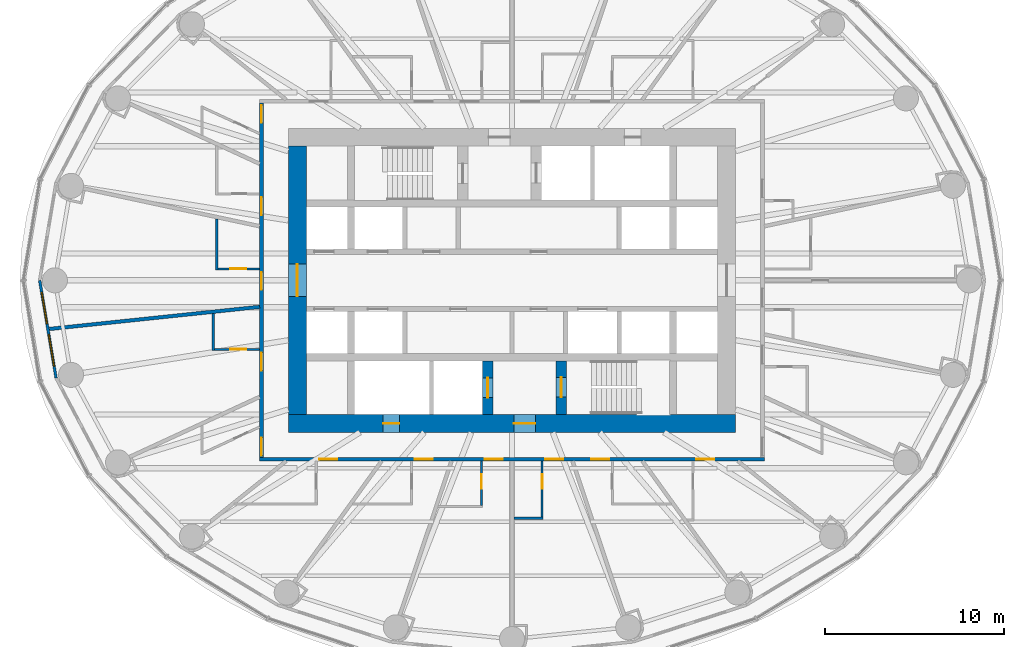
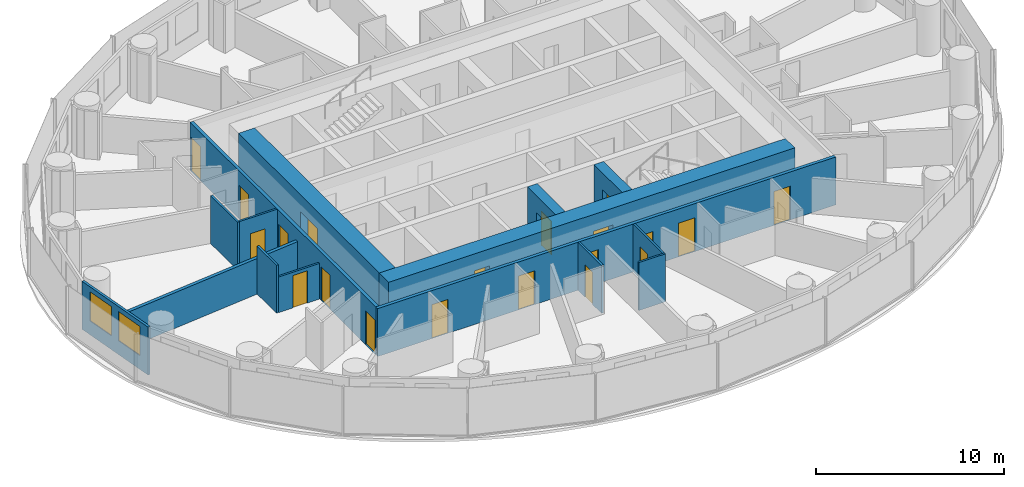
# One storey, part 7 of 14: 20 doors, 15 walls, 2 windows, 22 openings.
"""IFC4 building model written with IfcOpenShell, lengths in metres."""

from ifc_helpers import new_model, si_unit, direction, frame, frame_2d, origin, place, context, subcontext, project, spatial, rectangle, extrude, material, layer, layer_set, type_object, element, fill, save


model = new_model("IFC4")

# Units and contexts
model_context = context("Model", 3, precision=1e-05, world=origin(), true_north=direction((0.0, 1.0)))
body_context = subcontext(model_context, "Body", "Model", "MODEL_VIEW")
ifc_project = project(units=[si_unit("LENGTHUNIT", "METRE"), si_unit("AREAUNIT", "SQUARE_METRE"), si_unit("VOLUMEUNIT", "CUBIC_METRE"), si_unit("PLANEANGLEUNIT", "RADIAN"), si_unit("MASSUNIT", "GRAM", prefix="KILO")], contexts=[model_context])

# Site, building, storey
site_placement = place(None, origin())
site = spatial("IfcSite", under=ifc_project, at=site_placement, CompositionType="ELEMENT")
building_placement = place(site_placement, origin())
building = spatial("IfcBuilding", under=site, at=building_placement, Name="Hankou Lantern Tower", CompositionType="ELEMENT")
storey_placement = place(building_placement, frame((0.0, 0.0, 63.89990234375)))
storey = spatial("IfcBuildingStorey", under=building, at=storey_placement, Name="L15", CompositionType="ELEMENT", Elevation=63.89990234375)

# Wall, openings, doors
ifc_material_1 = material(Name="Concrete C60", Category="concrete")
ifc_layer_1 = layer(ifc_material_1, 1.0)
ifc_layer_set_1 = layer_set([ifc_layer_1], Name="Concrete C60")
wall_type_1 = type_object("IfcWallType", Name="CW1 CORE WALL 1000", PredefinedType="SHEAR", material=ifc_layer_set_1)
wall_1_placement = place(storey_placement, frame((12.5, -8.0, 0.0), z_axis=(0.0, 0.0, 1.0), x_axis=(-1.0, 0.0, 0.0)))
wall_1 = element("IfcWall", 1, at=wall_1_placement, inside=storey, type_object=wall_type_1, Name="Core wall south L15", PredefinedType="SHEAR", context=body_context, shape_type="SweptSolid", body=[
    extrude(rectangle(XDim=25.0, YDim=1.0, at=frame_2d((12.5, 0.0))), origin(), (0.0, 0.0, 1.0), 3.300048828125),
])
opening_1_placement = place(wall_1_placement, frame((11.199951171875, 0.0, 0.0)))
opening_1 = element("IfcOpeningElement", 2, at=opening_1_placement, cuts=wall_1, Name="Opening D5", PredefinedType="OPENING", context=body_context, shape_type="SweptSolid", body=[
    extrude(rectangle(XDim=1.199951171875, YDim=2.199951171875, at=frame_2d((0.60009765625, 1.10009765625))), frame((0.0, 0.510009765625, 0.0), z_axis=(0.0, -1.0, 0.0), x_axis=(1.0, 0.0, 0.0)), (0.0, 0.0, 1.0), 1.02001953125),
])
opening_2_placement = place(wall_1_placement, frame((18.800048828125, 0.0, 0.0)))
opening_2 = element("IfcOpeningElement", 3, at=opening_2_placement, cuts=wall_1, Name="Opening D7", PredefinedType="OPENING", context=body_context, shape_type="SweptSolid", body=[
    extrude(rectangle(XDim=0.89990234375, YDim=2.199951171875, at=frame_2d((0.449951171875, 1.10009765625))), frame((0.0, 0.510009765625, 0.0), z_axis=(0.0, -1.0, 0.0), x_axis=(1.0, 0.0, 0.0)), (0.0, 0.0, 1.0), 1.02001953125),
])
ifc_material_2 = material(Name="Steel door leaf", Category="steel")
door_type_1 = type_object("IfcDoorType", Name="D5 STAIR LOBBY DOOR 1200X2200", OperationType="SINGLE_SWING_LEFT", PredefinedType="DOOR", material=ifc_material_2)
door_1_placement = place(opening_1_placement, origin())
door_1 = element("IfcDoor", 4, at=door_1_placement, inside=storey, type_object=door_type_1, Name="Stair B lobby door", OperationType="SINGLE_SWING_LEFT", OverallHeight=2.199951171875, OverallWidth=1.199951171875, PredefinedType="DOOR", context=body_context, shape_type="SweptSolid", body=[
    extrude(rectangle(XDim=1.199951171875, YDim=2.199951171875, at=frame_2d((0.60009765625, 1.10009765625))), frame((0.0, 0.02490234375, 0.0), z_axis=(0.0, -1.0, 0.0), x_axis=(1.0, 0.0, 0.0)), (0.0, 0.0, 1.0), 0.050048828125),
])
fill(opening_1, door_1)
ifc_material_3 = material(Name="Steel door leaf", Category="steel")
door_type_2 = type_object("IfcDoorType", Name="D7 RISER DOOR 900X2200", OperationType="SINGLE_SWING_LEFT", PredefinedType="DOOR", material=ifc_material_3)
door_2_placement = place(opening_2_placement, origin())
door_2 = element("IfcDoor", 5, at=door_2_placement, inside=storey, type_object=door_type_2, Name="Riser S1 door", OperationType="SINGLE_SWING_RIGHT", OverallHeight=2.199951171875, OverallWidth=0.89990234375, PredefinedType="DOOR", context=body_context, shape_type="SweptSolid", body=[
    extrude(rectangle(XDim=0.89990234375, YDim=2.199951171875, at=frame_2d((0.449951171875, 1.10009765625))), frame((0.0, 0.02490234375, 0.0), z_axis=(0.0, -1.0, 0.0), x_axis=(1.0, 0.0, 0.0)), (0.0, 0.0, 1.0), 0.050048828125),
])
fill(opening_2, door_2)

# Wall, opening, door
wall_2_placement = place(storey_placement, frame((-12.0, 7.5, 0.0), z_axis=(0.0, 0.0, 1.0), x_axis=(0.0, -1.0, 0.0)))
wall_2 = element("IfcWall", 6, at=wall_2_placement, inside=storey, type_object=wall_type_1, Name="Core wall west L15", PredefinedType="SHEAR", context=body_context, shape_type="SweptSolid", body=[
    extrude(rectangle(XDim=15.0, YDim=1.0, at=frame_2d((7.5, 0.0))), origin(), (0.0, 0.0, 1.0), 3.300048828125),
])
opening_3_placement = place(wall_2_placement, frame((6.60009765625, 0.0, 0.0)))
opening_3 = element("IfcOpeningElement", 7, at=opening_3_placement, cuts=wall_2, Name="Opening D6", PredefinedType="OPENING", context=body_context, shape_type="SweptSolid", body=[
    extrude(rectangle(XDim=1.800048828125, YDim=2.199951171875, at=frame_2d((0.89990234375, 1.10009765625))), frame((0.0, 0.510009765625, 0.0), z_axis=(0.0, -1.0, 0.0), x_axis=(1.0, 0.0, 0.0)), (0.0, 0.0, 1.0), 1.02001953125),
])
ifc_material_4 = material(Name="Steel door leaf", Category="steel")
door_type_3 = type_object("IfcDoorType", Name="D6 LIFT LOBBY DOOR 1800X2200", OperationType="DOUBLE_DOOR_DOUBLE_SWING", PredefinedType="DOOR", material=ifc_material_4)
door_3_placement = place(opening_3_placement, origin())
door_3 = element("IfcDoor", 8, at=door_3_placement, inside=storey, type_object=door_type_3, Name="Lift lobby west door", OperationType="DOUBLE_DOOR_DOUBLE_SWING", OverallHeight=2.199951171875, OverallWidth=1.800048828125, PredefinedType="DOOR", context=body_context, shape_type="SweptSolid", body=[
    extrude(rectangle(XDim=1.800048828125, YDim=2.199951171875, at=frame_2d((0.89990234375, 1.10009765625))), frame((0.0, 0.02490234375, 0.0), z_axis=(0.0, -1.0, 0.0), x_axis=(1.0, 0.0, 0.0)), (0.0, 0.0, 1.0), 0.050048828125),
])
fill(opening_3, door_3)

ifc_material_5 = material(Name="Concrete C60", Category="concrete")
ifc_layer_2 = layer(ifc_material_5, 0.60009765625)
ifc_layer_set_2 = layer_set([ifc_layer_2], Name="Concrete C60")
wall_type_2 = type_object("IfcWallType", Name="CW6 STAIR AND SHAFT WALL 600", PredefinedType="SHEAR", material=ifc_layer_set_2)
wall_3_placement = place(storey_placement, frame((2.75, -7.5, 0.0), z_axis=(0.0, 0.0, 1.0), x_axis=(0.0, 1.0, 0.0)))
wall_3 = element("IfcWall", 9, at=wall_3_placement, inside=storey, type_object=wall_type_2, Name="Stair wall L15", PredefinedType="SHEAR", context=body_context, shape_type="SweptSolid", body=[
    extrude(rectangle(XDim=3.0, YDim=0.60009765625, at=frame_2d((1.5, 0.0))), origin(), (0.0, 0.0, 1.0), 3.300048828125),
])
opening_4_placement = place(wall_3_placement, frame((0.97509765625, 0.0, 0.0)))
opening_4 = element("IfcOpeningElement", 10, at=opening_4_placement, cuts=wall_3, Name="Opening D4", PredefinedType="OPENING", context=body_context, shape_type="SweptSolid", body=[
    extrude(rectangle(XDim=1.10009765625, YDim=2.199951171875, at=frame_2d((0.550048828125, 1.10009765625))), frame((0.0, 0.31005859375, 0.0), z_axis=(0.0, -1.0, 0.0), x_axis=(1.0, 0.0, 0.0)), (0.0, 0.0, 1.0), 0.6201171875),
])
ifc_material_6 = material(Name="Steel door leaf", Category="steel")
door_type_4 = type_object("IfcDoorType", Name="D4 STAIR DOOR 1100X2200", OperationType="SINGLE_SWING_LEFT", PredefinedType="DOOR", material=ifc_material_6)
door_4_placement = place(opening_4_placement, origin())
door_4 = element("IfcDoor", 11, at=door_4_placement, inside=storey, type_object=door_type_4, Name="Stair B door", OperationType="SINGLE_SWING_RIGHT", OverallHeight=2.199951171875, OverallWidth=1.10009765625, PredefinedType="DOOR", context=body_context, shape_type="SweptSolid", body=[
    extrude(rectangle(XDim=1.10009765625, YDim=2.199951171875, at=frame_2d((0.550048828125, 1.10009765625))), frame((0.0, 0.02490234375, 0.0), z_axis=(0.0, -1.0, 0.0), x_axis=(1.0, 0.0, 0.0)), (0.0, 0.0, 1.0), 0.050048828125),
])
fill(opening_4, door_4)

wall_4_placement = place(storey_placement, frame((-1.35009765625, -7.5, 0.0), z_axis=(0.0, 0.0, 1.0), x_axis=(0.0, 1.0, 0.0)))
wall_4 = element("IfcWall", 12, at=wall_4_placement, inside=storey, type_object=wall_type_2, Name="Firefighting lift shaft wall L15", PredefinedType="SHEAR", context=body_context, shape_type="SweptSolid", body=[
    extrude(rectangle(XDim=3.0, YDim=0.60009765625, at=frame_2d((1.5, 0.0))), origin(), (0.0, 0.0, 1.0), 3.300048828125),
])
opening_5_placement = place(wall_4_placement, frame((0.949951171875, 0.0, 0.0)))
opening_5 = element("IfcOpeningElement", 13, at=opening_5_placement, cuts=wall_4, Name="Opening LD2", PredefinedType="OPENING", context=body_context, shape_type="SweptSolid", body=[
    extrude(rectangle(XDim=1.10009765625, YDim=2.199951171875, at=frame_2d((0.550048828125, 1.10009765625))), frame((0.0, 0.31005859375, 0.0), z_axis=(0.0, -1.0, 0.0), x_axis=(1.0, 0.0, 0.0)), (0.0, 0.0, 1.0), 0.6201171875),
])
ifc_material_7 = material(Name="Steel door leaf", Category="steel")
door_type_5 = type_object("IfcDoorType", Name="LD2 FIREFIGHTING LIFT LANDING DOOR 1100X2200", OperationType="DOUBLE_DOOR_SLIDING", PredefinedType="DOOR", material=ifc_material_7)
door_5_placement = place(opening_5_placement, origin())
door_5 = element("IfcDoor", 14, at=door_5_placement, inside=storey, type_object=door_type_5, Name="Firefighting lift FL2 landing door", OperationType="DOUBLE_DOOR_SLIDING", OverallHeight=2.199951171875, OverallWidth=1.10009765625, PredefinedType="DOOR", context=body_context, shape_type="SweptSolid", body=[
    extrude(rectangle(XDim=1.10009765625, YDim=2.199951171875, at=frame_2d((0.550048828125, 1.10009765625))), frame((0.0, 0.02490234375, 0.0), z_axis=(0.0, -1.0, 0.0), x_axis=(1.0, 0.0, 0.0)), (0.0, 0.0, 1.0), 0.050048828125),
])
fill(opening_5, door_5)

# Wall, openings, windows
ifc_material_8 = material(Name="Aluminium spandrel panel on steel studs", Category="steel")
ifc_layer_3 = layer(ifc_material_8, 0.14990234375)
ifc_layer_set_3 = layer_set([ifc_layer_3], Name="Aluminium spandrel panel on steel studs")
wall_type_3 = type_object("IfcWallType", Name="EW1 INNER SKIN WALL 150", PredefinedType="ELEMENTEDWALL", material=ifc_layer_set_3)
wall_5_placement = place(storey_placement, frame((-26.39990234375, 0.0, 0.0), z_axis=(0.0, 0.0, 1.0), x_axis=(0.165642551694, -0.986185857264, 0.0)))
wall_5 = element("IfcWall", 15, at=wall_5_placement, inside=storey, type_object=wall_type_3, Name="Inner skin R13-R14 L15", PredefinedType="ELEMENTEDWALL", context=body_context, shape_type="SweptSolid", body=[
    extrude(rectangle(XDim=5.538818359375, YDim=0.14990234375, at=frame_2d((2.76953125, 0.0))), origin(), (0.0, 0.0, 1.0), 3.1201171875),
])
opening_6_placement = place(wall_5_placement, frame((0.66943359375, 0.0, 0.89990234375)))
opening_6 = element("IfcOpeningElement", 16, at=opening_6_placement, cuts=wall_5, Name="Opening W1", PredefinedType="OPENING", context=body_context, shape_type="SweptSolid", body=[
    extrude(rectangle(XDim=1.800048828125, YDim=1.89990234375, at=frame_2d((0.89990234375, 0.949951171875))), frame((0.0, 0.0849609375, 0.0), z_axis=(0.0, -1.0, 0.0), x_axis=(1.0, 0.0, 0.0)), (0.0, 0.0, 1.0), 0.169921875),
])
opening_7_placement = place(wall_5_placement, frame((3.069580078125, 0.0, 0.89990234375)))
opening_7 = element("IfcOpeningElement", 17, at=opening_7_placement, cuts=wall_5, Name="Opening W1", PredefinedType="OPENING", context=body_context, shape_type="SweptSolid", body=[
    extrude(rectangle(XDim=1.800048828125, YDim=1.89990234375, at=frame_2d((0.89990234375, 0.949951171875))), frame((0.0, 0.0849609375, 0.0), z_axis=(0.0, -1.0, 0.0), x_axis=(1.0, 0.0, 0.0)), (0.0, 0.0, 1.0), 0.169921875),
])
ifc_material_9 = material(Name="Aluminium framed double glazed window", Category="aluminium")
window_type = type_object("IfcWindowType", Name="W1 GUEST ROOM WINDOW 1800X1900", PartitioningType="DOUBLE_PANEL_VERTICAL", PredefinedType="WINDOW", material=ifc_material_9)
window_1_placement = place(opening_6_placement, origin())
window_1 = element("IfcWindow", 18, at=window_1_placement, inside=storey, type_object=window_type, Name="Window R13.1 L15", OverallHeight=1.89990234375, OverallWidth=1.800048828125, PartitioningType="SINGLE_PANEL", PredefinedType="WINDOW", context=body_context, shape_type="SweptSolid", body=[
    extrude(rectangle(XDim=1.800048828125, YDim=1.89990234375, at=frame_2d((0.89990234375, 0.949951171875))), frame((0.0, 0.030029296875, 0.0), z_axis=(0.0, -1.0, 0.0), x_axis=(1.0, 0.0, 0.0)), (0.0, 0.0, 1.0), 0.06005859375),
])
fill(opening_6, window_1)
window_2_placement = place(opening_7_placement, origin())
window_2 = element("IfcWindow", 19, at=window_2_placement, inside=storey, type_object=window_type, Name="Window R13.2 L15", OverallHeight=1.89990234375, OverallWidth=1.800048828125, PartitioningType="SINGLE_PANEL", PredefinedType="WINDOW", context=body_context, shape_type="SweptSolid", body=[
    extrude(rectangle(XDim=1.800048828125, YDim=1.89990234375, at=frame_2d((0.89990234375, 0.949951171875))), frame((0.0, 0.030029296875, 0.0), z_axis=(0.0, -1.0, 0.0), x_axis=(1.0, 0.0, 0.0)), (0.0, 0.0, 1.0), 0.06005859375),
])
fill(opening_7, window_2)

# Wall
ifc_material_10 = material(Name="Masonry lightweight concrete block", Category="masonry")
ifc_layer_4 = layer(ifc_material_10, 0.199951171875)
ifc_layer_set_4 = layer_set([ifc_layer_4], Name="Masonry lightweight concrete block")
wall_type_4 = type_object("IfcWallType", Name="IW1 GUEST ROOM PARTY WALL 200", PredefinedType="PARTITIONING", material=ifc_layer_set_4)
wall_6_placement = place(storey_placement, frame((-14.10009765625, -1.48193359375, 0.0), z_axis=(0.0, 0.0, 1.0), x_axis=(-0.994522076235, -0.104526742422, 0.0)))
element("IfcWall", 20, at=wall_6_placement, inside=storey, type_object=wall_type_4, Name="Party wall R13-R14", PredefinedType="PARTITIONING", context=body_context, shape_type="SweptSolid", body=[
    extrude(rectangle(XDim=11.82080078125, YDim=0.199951171875, at=frame_2d((5.910400390625, 0.0))), origin(), (0.0, 0.0, 1.0), 2.320068359375),
])

# Wall, openings, doors
ifc_material_11 = material(Name="Masonry lightweight concrete block", Category="masonry")
ifc_layer_5 = layer(ifc_material_11, 0.199951171875)
ifc_layer_set_5 = layer_set([ifc_layer_5], Name="Masonry lightweight concrete block")
wall_type_5 = type_object("IfcWallType", Name="IW2 CORRIDOR WALL 200", PredefinedType="PARTITIONING", material=ifc_layer_set_5)
wall_7_placement = place(storey_placement, frame((14.10009765625, -10.0, 0.0), z_axis=(0.0, 0.0, 1.0), x_axis=(-1.0, 0.0, 0.0)))
wall_7 = element("IfcWall", 21, at=wall_7_placement, inside=storey, type_object=wall_type_5, Name="Corridor wall south", PredefinedType="PARTITIONING", context=body_context, shape_type="SweptSolid", body=[
    extrude(rectangle(XDim=28.2001953125, YDim=0.199951171875, at=frame_2d((14.10009765625, 0.0))), origin(), (0.0, 0.0, 1.0), 3.1201171875),
])
opening_8_placement = place(wall_7_placement, frame((23.864990234375, 0.0, 0.0)))
opening_8 = element("IfcOpeningElement", 22, at=opening_8_placement, cuts=wall_7, Name="Opening D1", PredefinedType="OPENING", context=body_context, shape_type="SweptSolid", body=[
    extrude(rectangle(XDim=1.0, YDim=2.199951171875, at=frame_2d((0.5, 1.10009765625))), frame((0.0, 0.10986328125, 0.0), z_axis=(0.0, -1.0, 0.0), x_axis=(1.0, 0.0, 0.0)), (0.0, 0.0, 1.0), 0.219970703125),
])
opening_9_placement = place(wall_7_placement, frame((18.529052734375, 0.0, 0.0)))
opening_9 = element("IfcOpeningElement", 23, at=opening_9_placement, cuts=wall_7, Name="Opening D1", PredefinedType="OPENING", context=body_context, shape_type="SweptSolid", body=[
    extrude(rectangle(XDim=1.0, YDim=2.199951171875, at=frame_2d((0.5, 1.10009765625))), frame((0.0, 0.10986328125, 0.0), z_axis=(0.0, -1.0, 0.0), x_axis=(1.0, 0.0, 0.0)), (0.0, 0.0, 1.0), 0.219970703125),
])
opening_10_placement = place(wall_7_placement, frame((14.622802734375, 0.0, 0.0)))
opening_10 = element("IfcOpeningElement", 24, at=opening_10_placement, cuts=wall_7, Name="Opening D1", PredefinedType="OPENING", context=body_context, shape_type="SweptSolid", body=[
    extrude(rectangle(XDim=1.0, YDim=2.199951171875, at=frame_2d((0.5, 1.10009765625))), frame((0.0, 0.10986328125, 0.0), z_axis=(0.0, -1.0, 0.0), x_axis=(1.0, 0.0, 0.0)), (0.0, 0.0, 1.0), 0.219970703125),
])
opening_11_placement = place(wall_7_placement, frame((11.239990234375, 0.0, 0.0)))
opening_11 = element("IfcOpeningElement", 25, at=opening_11_placement, cuts=wall_7, Name="Opening D1", PredefinedType="OPENING", context=body_context, shape_type="SweptSolid", body=[
    extrude(rectangle(XDim=1.0, YDim=2.199951171875, at=frame_2d((0.5, 1.10009765625))), frame((0.0, 0.10986328125, 0.0), z_axis=(0.0, -1.0, 0.0), x_axis=(1.0, 0.0, 0.0)), (0.0, 0.0, 1.0), 0.219970703125),
])
opening_12_placement = place(wall_7_placement, frame((8.6708984375, 0.0, 0.0)))
opening_12 = element("IfcOpeningElement", 26, at=opening_12_placement, cuts=wall_7, Name="Opening D1", PredefinedType="OPENING", context=body_context, shape_type="SweptSolid", body=[
    extrude(rectangle(XDim=1.0, YDim=2.199951171875, at=frame_2d((0.5, 1.10009765625))), frame((0.0, 0.10986328125, 0.0), z_axis=(0.0, -1.0, 0.0), x_axis=(1.0, 0.0, 0.0)), (0.0, 0.0, 1.0), 0.219970703125),
])
opening_13_placement = place(wall_7_placement, frame((2.801025390625, 0.0, 0.0)))
opening_13 = element("IfcOpeningElement", 27, at=opening_13_placement, cuts=wall_7, Name="Opening D1", PredefinedType="OPENING", context=body_context, shape_type="SweptSolid", body=[
    extrude(rectangle(XDim=1.0, YDim=2.199951171875, at=frame_2d((0.5, 1.10009765625))), frame((0.0, 0.10986328125, 0.0), z_axis=(0.0, -1.0, 0.0), x_axis=(1.0, 0.0, 0.0)), (0.0, 0.0, 1.0), 0.219970703125),
])
ifc_material_12 = material(Name="Steel door leaf", Category="steel")
door_type_6 = type_object("IfcDoorType", Name="D1 GUEST ROOM DOOR 1000X2200", OperationType="SINGLE_SWING_LEFT", PredefinedType="DOOR", material=ifc_material_12)
door_6_placement = place(opening_8_placement, origin())
door_6 = element("IfcDoor", 28, at=door_6_placement, inside=storey, type_object=door_type_6, Name="Guest room door 1515", OperationType="SINGLE_SWING_RIGHT", OverallHeight=2.199951171875, OverallWidth=1.0, PredefinedType="DOOR", context=body_context, shape_type="SweptSolid", body=[
    extrude(rectangle(XDim=1.0, YDim=2.199951171875, at=frame_2d((0.5, 1.10009765625))), frame((0.0, 0.02490234375, 0.0), z_axis=(0.0, -1.0, 0.0), x_axis=(1.0, 0.0, 0.0)), (0.0, 0.0, 1.0), 0.050048828125),
])
fill(opening_8, door_6)
door_7_placement = place(opening_9_placement, origin())
door_7 = element("IfcDoor", 29, at=door_7_placement, inside=storey, type_object=door_type_6, Name="Guest room door 1516", OperationType="SINGLE_SWING_RIGHT", OverallHeight=2.199951171875, OverallWidth=1.0, PredefinedType="DOOR", context=body_context, shape_type="SweptSolid", body=[
    extrude(rectangle(XDim=1.0, YDim=2.199951171875, at=frame_2d((0.5, 1.10009765625))), frame((0.0, 0.02490234375, 0.0), z_axis=(0.0, -1.0, 0.0), x_axis=(1.0, 0.0, 0.0)), (0.0, 0.0, 1.0), 0.050048828125),
])
fill(opening_9, door_7)
door_8_placement = place(opening_10_placement, origin())
door_8 = element("IfcDoor", 30, at=door_8_placement, inside=storey, type_object=door_type_6, Name="Guest room door 1517", OperationType="SINGLE_SWING_RIGHT", OverallHeight=2.199951171875, OverallWidth=1.0, PredefinedType="DOOR", context=body_context, shape_type="SweptSolid", body=[
    extrude(rectangle(XDim=1.0, YDim=2.199951171875, at=frame_2d((0.5, 1.10009765625))), frame((0.0, 0.02490234375, 0.0), z_axis=(0.0, -1.0, 0.0), x_axis=(1.0, 0.0, 0.0)), (0.0, 0.0, 1.0), 0.050048828125),
])
fill(opening_10, door_8)
door_9_placement = place(opening_11_placement, origin())
door_9 = element("IfcDoor", 31, at=door_9_placement, inside=storey, type_object=door_type_6, Name="Guest room door 1518", OperationType="SINGLE_SWING_RIGHT", OverallHeight=2.199951171875, OverallWidth=1.0, PredefinedType="DOOR", context=body_context, shape_type="SweptSolid", body=[
    extrude(rectangle(XDim=1.0, YDim=2.199951171875, at=frame_2d((0.5, 1.10009765625))), frame((0.0, 0.02490234375, 0.0), z_axis=(0.0, -1.0, 0.0), x_axis=(1.0, 0.0, 0.0)), (0.0, 0.0, 1.0), 0.050048828125),
])
fill(opening_11, door_9)
door_10_placement = place(opening_12_placement, origin())
door_10 = element("IfcDoor", 32, at=door_10_placement, inside=storey, type_object=door_type_6, Name="Guest room door 1519", OperationType="SINGLE_SWING_LEFT", OverallHeight=2.199951171875, OverallWidth=1.0, PredefinedType="DOOR", context=body_context, shape_type="SweptSolid", body=[
    extrude(rectangle(XDim=1.0, YDim=2.199951171875, at=frame_2d((0.5, 1.10009765625))), frame((0.0, 0.02490234375, 0.0), z_axis=(0.0, -1.0, 0.0), x_axis=(1.0, 0.0, 0.0)), (0.0, 0.0, 1.0), 0.050048828125),
])
fill(opening_12, door_10)
door_11_placement = place(opening_13_placement, origin())
door_11 = element("IfcDoor", 33, at=door_11_placement, inside=storey, type_object=door_type_6, Name="Guest room door 1520", OperationType="SINGLE_SWING_RIGHT", OverallHeight=2.199951171875, OverallWidth=1.0, PredefinedType="DOOR", context=body_context, shape_type="SweptSolid", body=[
    extrude(rectangle(XDim=1.0, YDim=2.199951171875, at=frame_2d((0.5, 1.10009765625))), frame((0.0, 0.02490234375, 0.0), z_axis=(0.0, -1.0, 0.0), x_axis=(1.0, 0.0, 0.0)), (0.0, 0.0, 1.0), 0.050048828125),
])
fill(opening_13, door_11)

wall_8_placement = place(storey_placement, frame((-14.0, 9.89990234375, 0.0), z_axis=(0.0, 0.0, 1.0), x_axis=(0.0, -1.0, 0.0)))
wall_8 = element("IfcWall", 34, at=wall_8_placement, inside=storey, type_object=wall_type_5, Name="Corridor wall west", PredefinedType="PARTITIONING", context=body_context, shape_type="SweptSolid", body=[
    extrude(rectangle(XDim=19.7998046875, YDim=0.199951171875, at=frame_2d((9.89990234375, 0.0))), origin(), (0.0, 0.0, 1.0), 3.1201171875),
])
opening_14_placement = place(wall_8_placement, frame((0.1025390625, 0.0, 0.0)))
opening_14 = element("IfcOpeningElement", 35, at=opening_14_placement, cuts=wall_8, Name="Opening D1", PredefinedType="OPENING", context=body_context, shape_type="SweptSolid", body=[
    extrude(rectangle(XDim=1.0, YDim=2.199951171875, at=frame_2d((0.5, 1.10009765625))), frame((0.0, 0.10986328125, 0.0), z_axis=(0.0, -1.0, 0.0), x_axis=(1.0, 0.0, 0.0)), (0.0, 0.0, 1.0), 0.219970703125),
])
opening_15_placement = place(wall_8_placement, frame((5.24755859375, 0.0, 0.0)))
opening_15 = element("IfcOpeningElement", 36, at=opening_15_placement, cuts=wall_8, Name="Opening D1", PredefinedType="OPENING", context=body_context, shape_type="SweptSolid", body=[
    extrude(rectangle(XDim=1.0, YDim=2.199951171875, at=frame_2d((0.5, 1.10009765625))), frame((0.0, 0.10986328125, 0.0), z_axis=(0.0, -1.0, 0.0), x_axis=(1.0, 0.0, 0.0)), (0.0, 0.0, 1.0), 0.219970703125),
])
opening_16_placement = place(wall_8_placement, frame((9.4375, 0.0, 0.0)))
opening_16 = element("IfcOpeningElement", 37, at=opening_16_placement, cuts=wall_8, Name="Opening D1", PredefinedType="OPENING", context=body_context, shape_type="SweptSolid", body=[
    extrude(rectangle(XDim=1.0, YDim=2.199951171875, at=frame_2d((0.5, 1.10009765625))), frame((0.0, 0.10986328125, 0.0), z_axis=(0.0, -1.0, 0.0), x_axis=(1.0, 0.0, 0.0)), (0.0, 0.0, 1.0), 0.219970703125),
])
opening_17_placement = place(wall_8_placement, frame((13.94189453125, 0.0, 0.0)))
opening_17 = element("IfcOpeningElement", 38, at=opening_17_placement, cuts=wall_8, Name="Opening D1", PredefinedType="OPENING", context=body_context, shape_type="SweptSolid", body=[
    extrude(rectangle(XDim=1.0, YDim=2.199951171875, at=frame_2d((0.5, 1.10009765625))), frame((0.0, 0.10986328125, 0.0), z_axis=(0.0, -1.0, 0.0), x_axis=(1.0, 0.0, 0.0)), (0.0, 0.0, 1.0), 0.219970703125),
])
opening_18_placement = place(wall_8_placement, frame((18.697509765625, 0.0, 0.0)))
opening_18 = element("IfcOpeningElement", 39, at=opening_18_placement, cuts=wall_8, Name="Opening D1", PredefinedType="OPENING", context=body_context, shape_type="SweptSolid", body=[
    extrude(rectangle(XDim=1.0, YDim=2.199951171875, at=frame_2d((0.5, 1.10009765625))), frame((0.0, 0.10986328125, 0.0), z_axis=(0.0, -1.0, 0.0), x_axis=(1.0, 0.0, 0.0)), (0.0, 0.0, 1.0), 0.219970703125),
])
door_12_placement = place(opening_14_placement, origin())
door_12 = element("IfcDoor", 40, at=door_12_placement, inside=storey, type_object=door_type_6, Name="Guest room door 1510", OperationType="SINGLE_SWING_LEFT", OverallHeight=2.199951171875, OverallWidth=1.0, PredefinedType="DOOR", context=body_context, shape_type="SweptSolid", body=[
    extrude(rectangle(XDim=1.0, YDim=2.199951171875, at=frame_2d((0.5, 1.10009765625))), frame((0.0, 0.02490234375, 0.0), z_axis=(0.0, -1.0, 0.0), x_axis=(1.0, 0.0, 0.0)), (0.0, 0.0, 1.0), 0.050048828125),
])
fill(opening_14, door_12)
door_13_placement = place(opening_15_placement, origin())
door_13 = element("IfcDoor", 41, at=door_13_placement, inside=storey, type_object=door_type_6, Name="Guest room door 1511", OperationType="SINGLE_SWING_LEFT", OverallHeight=2.199951171875, OverallWidth=1.0, PredefinedType="DOOR", context=body_context, shape_type="SweptSolid", body=[
    extrude(rectangle(XDim=1.0, YDim=2.199951171875, at=frame_2d((0.5, 1.10009765625))), frame((0.0, 0.02490234375, 0.0), z_axis=(0.0, -1.0, 0.0), x_axis=(1.0, 0.0, 0.0)), (0.0, 0.0, 1.0), 0.050048828125),
])
fill(opening_15, door_13)
door_14_placement = place(opening_16_placement, origin())
door_14 = element("IfcDoor", 42, at=door_14_placement, inside=storey, type_object=door_type_6, Name="Guest room door 1512", OperationType="SINGLE_SWING_RIGHT", OverallHeight=2.199951171875, OverallWidth=1.0, PredefinedType="DOOR", context=body_context, shape_type="SweptSolid", body=[
    extrude(rectangle(XDim=1.0, YDim=2.199951171875, at=frame_2d((0.5, 1.10009765625))), frame((0.0, 0.02490234375, 0.0), z_axis=(0.0, -1.0, 0.0), x_axis=(1.0, 0.0, 0.0)), (0.0, 0.0, 1.0), 0.050048828125),
])
fill(opening_16, door_14)
door_15_placement = place(opening_17_placement, origin())
door_15 = element("IfcDoor", 43, at=door_15_placement, inside=storey, type_object=door_type_6, Name="Guest room door 1513", OperationType="SINGLE_SWING_RIGHT", OverallHeight=2.199951171875, OverallWidth=1.0, PredefinedType="DOOR", context=body_context, shape_type="SweptSolid", body=[
    extrude(rectangle(XDim=1.0, YDim=2.199951171875, at=frame_2d((0.5, 1.10009765625))), frame((0.0, 0.02490234375, 0.0), z_axis=(0.0, -1.0, 0.0), x_axis=(1.0, 0.0, 0.0)), (0.0, 0.0, 1.0), 0.050048828125),
])
fill(opening_17, door_15)
door_16_placement = place(opening_18_placement, origin())
door_16 = element("IfcDoor", 44, at=door_16_placement, inside=storey, type_object=door_type_6, Name="Guest room door 1514", OperationType="SINGLE_SWING_RIGHT", OverallHeight=2.199951171875, OverallWidth=1.0, PredefinedType="DOOR", context=body_context, shape_type="SweptSolid", body=[
    extrude(rectangle(XDim=1.0, YDim=2.199951171875, at=frame_2d((0.5, 1.10009765625))), frame((0.0, 0.02490234375, 0.0), z_axis=(0.0, -1.0, 0.0), x_axis=(1.0, 0.0, 0.0)), (0.0, 0.0, 1.0), 0.050048828125),
])
fill(opening_18, door_16)

# Wall
ifc_material_13 = material(Name="Masonry lightweight concrete block", Category="masonry")
ifc_layer_6 = layer(ifc_material_13, 0.1201171875)
ifc_layer_set_6 = layer_set([ifc_layer_6], Name="Masonry lightweight concrete block")
wall_type_6 = type_object("IfcWallType", Name="IW3 BATHROOM WALL 120", PredefinedType="PARTITIONING", material=ifc_layer_set_6)
wall_9_placement = place(storey_placement, frame((-16.5, 3.43701171875, 0.0), z_axis=(0.0, 0.0, 1.0), x_axis=(0.0, -1.0, 0.0)))
element("IfcWall", 45, at=wall_9_placement, inside=storey, type_object=wall_type_6, Name="Box wall 1512 1", PredefinedType="PARTITIONING", context=body_context, shape_type="SweptSolid", body=[
    extrude(rectangle(XDim=2.8544921875, YDim=0.1201171875, at=frame_2d((1.42724609375, 0.0))), origin(), (0.0, 0.0, 1.0), 3.1201171875),
])

# Wall, opening, door
wall_10_placement = place(storey_placement, frame((-14.10009765625, 0.642578125, 0.0), z_axis=(0.0, 0.0, 1.0), x_axis=(-1.0, 0.0, 0.0)))
wall_10 = element("IfcWall", 46, at=wall_10_placement, inside=storey, type_object=wall_type_6, Name="Box wall 1512 1", PredefinedType="PARTITIONING", context=body_context, shape_type="SweptSolid", body=[
    extrude(rectangle(XDim=2.33984375, YDim=0.1201171875, at=frame_2d((1.169921875, 0.0))), origin(), (0.0, 0.0, 1.0), 3.1201171875),
])
opening_19_placement = place(wall_10_placement, frame((0.75, 0.0, 0.0)))
opening_19 = element("IfcOpeningElement", 47, at=opening_19_placement, cuts=wall_10, Name="Opening D26", PredefinedType="OPENING", context=body_context, shape_type="SweptSolid", body=[
    extrude(rectangle(XDim=0.89990234375, YDim=2.10009765625, at=frame_2d((0.449951171875, 1.050048828125))), frame((0.0, 0.070068359375, 0.0), z_axis=(0.0, -1.0, 0.0), x_axis=(1.0, 0.0, 0.0)), (0.0, 0.0, 1.0), 0.14013671875),
])
ifc_material_14 = material(Name="Timber door leaf", Category="wood")
door_type_7 = type_object("IfcDoorType", Name="D26 ACCESSIBLE BATHROOM DOOR 900X2100", OperationType="SLIDING_TO_LEFT", PredefinedType="DOOR", material=ifc_material_14)
door_17_placement = place(opening_19_placement, origin())
door_17 = element("IfcDoor", 48, at=door_17_placement, inside=storey, type_object=door_type_7, Name="Accessible bathroom 1512 door", OperationType="SLIDING_TO_LEFT", OverallHeight=2.10009765625, OverallWidth=0.89990234375, PredefinedType="DOOR", context=body_context, shape_type="SweptSolid", body=[
    extrude(rectangle(XDim=0.89990234375, YDim=2.10009765625, at=frame_2d((0.449951171875, 1.050048828125))), frame((0.0, 0.02490234375, 0.0), z_axis=(0.0, -1.0, 0.0), x_axis=(1.0, 0.0, 0.0)), (0.0, 0.0, 1.0), 0.050048828125),
])
fill(opening_19, door_17)

# Wall
wall_11_placement = place(storey_placement, frame((-16.699951171875, -1.855224609375, 0.0), z_axis=(0.0, 0.0, 1.0), x_axis=(0.0, -1.0, 0.0)))
element("IfcWall", 49, at=wall_11_placement, inside=storey, type_object=wall_type_6, Name="Box wall 1513 1", PredefinedType="PARTITIONING", context=body_context, shape_type="SweptSolid", body=[
    extrude(rectangle(XDim=2.066650390625, YDim=0.1201171875, at=frame_2d((1.033203125, 0.0))), origin(), (0.0, 0.0, 1.0), 3.1201171875),
])

# Wall, opening, door
wall_12_placement = place(storey_placement, frame((-14.10009765625, -3.862060546875, 0.0), z_axis=(0.0, 0.0, 1.0), x_axis=(-1.0, 0.0, 0.0)))
wall_12 = element("IfcWall", 50, at=wall_12_placement, inside=storey, type_object=wall_type_6, Name="Box wall 1513 1", PredefinedType="PARTITIONING", context=body_context, shape_type="SweptSolid", body=[
    extrude(rectangle(XDim=2.539794921875, YDim=0.1201171875, at=frame_2d((1.27001953125, 0.0))), origin(), (0.0, 0.0, 1.0), 2.320068359375),
])
opening_20_placement = place(wall_12_placement, frame((0.75, 0.0, 0.0)))
opening_20 = element("IfcOpeningElement", 51, at=opening_20_placement, cuts=wall_12, Name="Opening D26", PredefinedType="OPENING", context=body_context, shape_type="SweptSolid", body=[
    extrude(rectangle(XDim=0.89990234375, YDim=2.10009765625, at=frame_2d((0.449951171875, 1.050048828125))), frame((0.0, 0.070068359375, 0.0), z_axis=(0.0, -1.0, 0.0), x_axis=(1.0, 0.0, 0.0)), (0.0, 0.0, 1.0), 0.14013671875),
])
door_18_placement = place(opening_20_placement, origin())
door_18 = element("IfcDoor", 52, at=door_18_placement, inside=storey, type_object=door_type_7, Name="Accessible bathroom 1513 door", OperationType="SLIDING_TO_LEFT", OverallHeight=2.10009765625, OverallWidth=0.89990234375, PredefinedType="DOOR", context=body_context, shape_type="SweptSolid", body=[
    extrude(rectangle(XDim=0.89990234375, YDim=2.10009765625, at=frame_2d((0.449951171875, 1.050048828125))), frame((0.0, 0.02490234375, 0.0), z_axis=(0.0, -1.0, 0.0), x_axis=(1.0, 0.0, 0.0)), (0.0, 0.0, 1.0), 0.050048828125),
])
fill(opening_20, door_18)

wall_13_placement = place(storey_placement, frame((-1.702880859375, -10.10009765625, 0.0), z_axis=(0.0, 0.0, 1.0), x_axis=(0.0, -1.0, 0.0)))
wall_13 = element("IfcWall", 53, at=wall_13_placement, inside=storey, type_object=wall_type_6, Name="Box wall 1517 1", PredefinedType="PARTITIONING", context=body_context, shape_type="SweptSolid", body=[
    extrude(rectangle(XDim=2.489990234375, YDim=0.1201171875, at=frame_2d((1.2451171875, 0.0))), origin(), (0.0, 0.0, 1.0), 3.1201171875),
])
opening_21_placement = place(wall_13_placement, frame((0.75, 0.0, 0.0)))
opening_21 = element("IfcOpeningElement", 54, at=opening_21_placement, cuts=wall_13, Name="Opening D3", PredefinedType="OPENING", context=body_context, shape_type="SweptSolid", body=[
    extrude(rectangle(XDim=0.800048828125, YDim=2.10009765625, at=frame_2d((0.39990234375, 1.050048828125))), frame((0.0, 0.070068359375, 0.0), z_axis=(0.0, -1.0, 0.0), x_axis=(1.0, 0.0, 0.0)), (0.0, 0.0, 1.0), 0.14013671875),
])
ifc_material_15 = material(Name="Timber door leaf", Category="wood")
door_type_8 = type_object("IfcDoorType", Name="D3 BATHROOM DOOR 800X2100", OperationType="SINGLE_SWING_LEFT", PredefinedType="DOOR", material=ifc_material_15)
door_19_placement = place(opening_21_placement, origin())
door_19 = element("IfcDoor", 55, at=door_19_placement, inside=storey, type_object=door_type_8, Name="En-suite bathroom 1517 door", OperationType="SINGLE_SWING_LEFT", OverallHeight=2.10009765625, OverallWidth=0.800048828125, PredefinedType="DOOR", context=body_context, shape_type="SweptSolid", body=[
    extrude(rectangle(XDim=0.800048828125, YDim=2.10009765625, at=frame_2d((0.39990234375, 1.050048828125))), frame((0.0, 0.02490234375, 0.0), z_axis=(0.0, -1.0, 0.0), x_axis=(1.0, 0.0, 0.0)), (0.0, 0.0, 1.0), 0.050048828125),
])
fill(opening_21, door_19)

# Wall
wall_14_placement = place(storey_placement, frame((0.10009765625, -13.300048828125, 0.0), z_axis=(0.0, 0.0, 1.0), x_axis=(1.0, 0.0, 0.0)))
element("IfcWall", 56, at=wall_14_placement, inside=storey, type_object=wall_type_6, Name="Box wall 1518 1", PredefinedType="PARTITIONING", context=body_context, shape_type="SweptSolid", body=[
    extrude(rectangle(XDim=1.639892578125, YDim=0.1201171875, at=frame_2d((0.81982421875, 0.0))), origin(), (0.0, 0.0, 1.0), 3.1201171875),
])

# Wall, opening, door
wall_15_placement = place(storey_placement, frame((1.679931640625, -10.10009765625, 0.0), z_axis=(0.0, 0.0, 1.0), x_axis=(0.0, -1.0, 0.0)))
wall_15 = element("IfcWall", 57, at=wall_15_placement, inside=storey, type_object=wall_type_6, Name="Box wall 1518 1", PredefinedType="PARTITIONING", context=body_context, shape_type="SweptSolid", body=[
    extrude(rectangle(XDim=3.139892578125, YDim=0.1201171875, at=frame_2d((1.56982421875, 0.0))), origin(), (0.0, 0.0, 1.0), 3.1201171875),
])
opening_22_placement = place(wall_15_placement, frame((0.75, 0.0, 0.0)))
opening_22 = element("IfcOpeningElement", 58, at=opening_22_placement, cuts=wall_15, Name="Opening D3", PredefinedType="OPENING", context=body_context, shape_type="SweptSolid", body=[
    extrude(rectangle(XDim=0.800048828125, YDim=2.10009765625, at=frame_2d((0.39990234375, 1.050048828125))), frame((0.0, 0.070068359375, 0.0), z_axis=(0.0, -1.0, 0.0), x_axis=(1.0, 0.0, 0.0)), (0.0, 0.0, 1.0), 0.14013671875),
])
door_20_placement = place(opening_22_placement, origin())
door_20 = element("IfcDoor", 59, at=door_20_placement, inside=storey, type_object=door_type_8, Name="En-suite bathroom 1518 door", OperationType="SINGLE_SWING_LEFT", OverallHeight=2.10009765625, OverallWidth=0.800048828125, PredefinedType="DOOR", context=body_context, shape_type="SweptSolid", body=[
    extrude(rectangle(XDim=0.800048828125, YDim=2.10009765625, at=frame_2d((0.39990234375, 1.050048828125))), frame((0.0, 0.02490234375, 0.0), z_axis=(0.0, -1.0, 0.0), x_axis=(1.0, 0.0, 0.0)), (0.0, 0.0, 1.0), 0.050048828125),
])
fill(opening_22, door_20)

save(model, "model.ifc")
